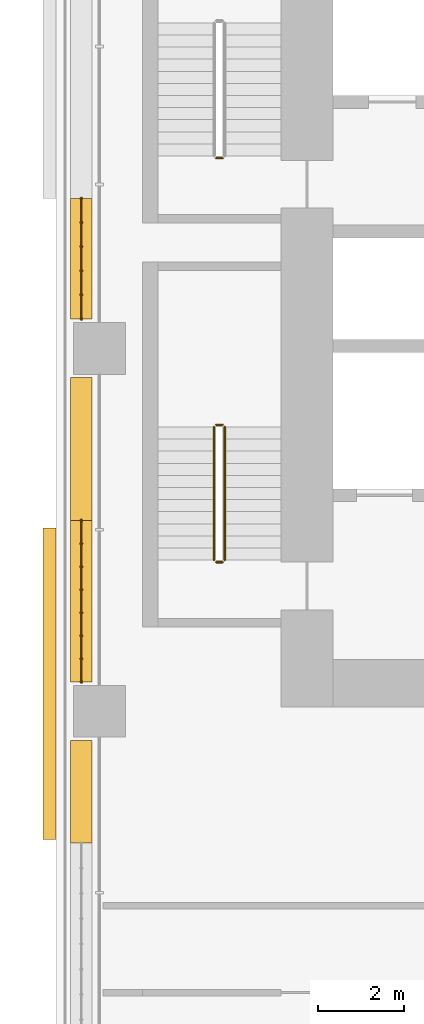
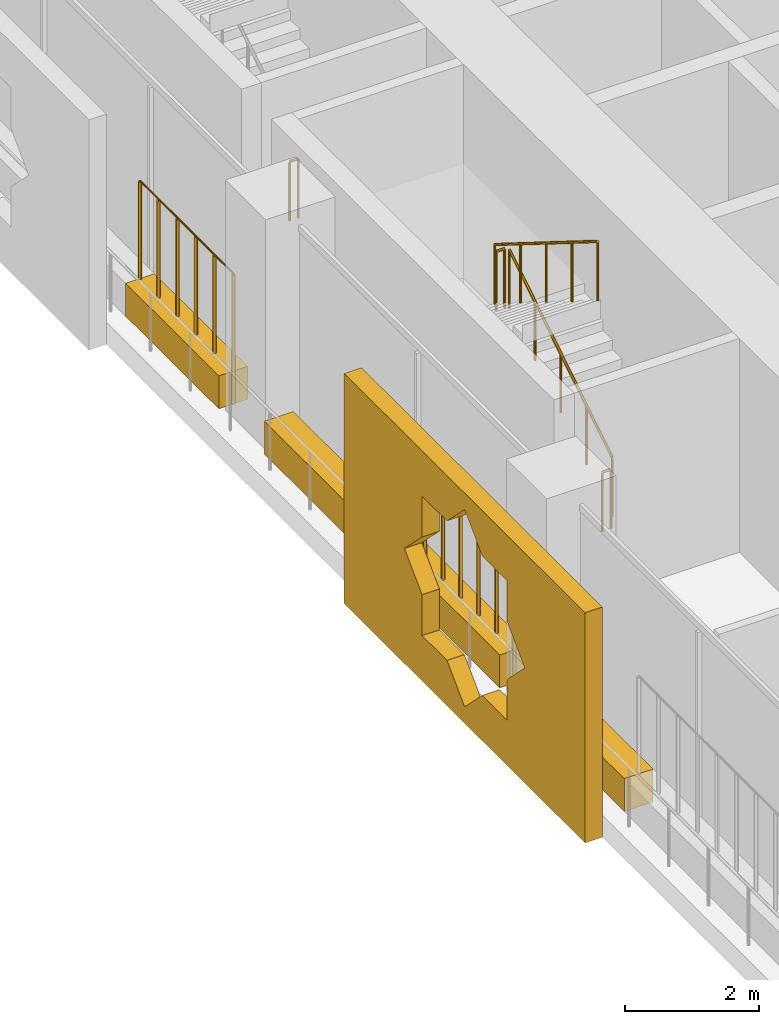
# One storey, part 23 of 28: 7 railings, 5 coverings.
"""IFC4 building model written with IfcOpenShell, lengths in metres."""

from ifc_helpers import new_model, si_unit, direction, frame, origin, origin_2d, place, context, subcontext, project, spatial, polyline, rectangle, circle, outline, extrude, material, material_profile, profile_set, type_object, element, save


model = new_model("IFC4")

# Units and contexts
model_context = context("Model", 3, precision=1e-05, world=origin(), true_north=direction((0.0, 1.0)))
body_context = subcontext(model_context, "Body", "Model", "MODEL_VIEW")
ifc_project = project(units=[si_unit("LENGTHUNIT", "METRE"), si_unit("AREAUNIT", "SQUARE_METRE"), si_unit("VOLUMEUNIT", "CUBIC_METRE"), si_unit("PLANEANGLEUNIT", "RADIAN"), si_unit("MASSUNIT", "GRAM", prefix="KILO")], contexts=[model_context])

# Site, building, storey
site_placement = place(None, origin())
site = spatial("IfcSite", under=ifc_project, at=site_placement, CompositionType="ELEMENT")
building_placement = place(site_placement, origin())
building = spatial("IfcBuilding", under=site, at=building_placement, Name="Kawkab Arch Medical Tower", CompositionType="ELEMENT")
storey_placement = place(building_placement, frame((0.0, 0.0, 56.0)))
storey = spatial("IfcBuildingStorey", under=building, at=storey_placement, Name="L12", CompositionType="ELEMENT", Elevation=56.0)

# Coverings
ifc_material_1 = material(Name="Bronze anodised aluminium mashrabiya panel, eight-point star pattern", Category="aluminium")
ifc_material_profile_1 = material_profile(ifc_material_1, outline(polyline([(-3.60009765625, -2.10009765625), (3.60009765625, -2.10009765625), (3.60009765625, 2.10009765625), (-3.60009765625, 2.10009765625), (-3.60009765625, -2.10009765625)]), holes=[polyline([(1.800048828125, 0.0), (1.272705078125, 0.527099609375), (1.272705078125, 1.272705078125), (0.527099609375, 1.272705078125), (0.0, 1.800048828125), (-0.527099609375, 1.272705078125), (-1.272705078125, 1.272705078125), (-1.272705078125, 0.527099609375), (-1.800048828125, 0.0), (-1.272705078125, -0.527099609375), (-1.272705078125, -1.272705078125), (-0.527099609375, -1.272705078125), (0.0, -1.800048828125), (0.527099609375, -1.272705078125), (1.272705078125, -1.272705078125), (1.272705078125, -0.527099609375), (1.800048828125, 0.0)])]), Name="Mashrabiya panel 7200x4200")
ifc_profile_set_1 = profile_set([ifc_material_profile_1], Name="Bronze anodised aluminium mashrabiya panel, eight-point star pattern")
covering_type_1 = type_object("IfcCoveringType", Name="Mashrabiya panel 7200 x 4200", PredefinedType="USERDEFINED", material=ifc_profile_set_1)
covering_1_placement = place(storey_placement, frame((-1.0, -24.561767578125, 1.699951171875), z_axis=(-1.0, 0.0, 0.0), x_axis=(0.0, -1.0, 0.0)))
element("IfcCovering", 1, at=covering_1_placement, inside=storey, type_object=covering_type_1, Name="Mashrabiya panel L12.LOG-01-01.4", ObjectType="SCREEN", PredefinedType="USERDEFINED", context=body_context, shape_type="SweptSolid", body=[
    extrude(outline(polyline([(-3.60009765625, -2.10009765625), (3.60009765625, -2.10009765625), (3.60009765625, 2.10009765625), (-3.60009765625, 2.10009765625), (-3.60009765625, -2.10009765625)]), holes=[polyline([(1.800048828125, 0.0), (1.272705078125, 0.527099609375), (1.272705078125, 1.272705078125), (0.527099609375, 1.272705078125), (0.0, 1.800048828125), (-0.527099609375, 1.272705078125), (-1.272705078125, 1.272705078125), (-1.272705078125, 0.527099609375), (-1.800048828125, 0.0), (-1.272705078125, -0.527099609375), (-1.272705078125, -1.272705078125), (-0.527099609375, -1.272705078125), (0.0, -1.800048828125), (0.527099609375, -1.272705078125), (1.272705078125, -1.272705078125), (1.272705078125, -0.527099609375), (1.800048828125, 0.0)])]), origin(), (0.0, 0.0, 1.0), 0.300048828125),
])
ifc_material_2 = material(Name="Planting soil in a precast trough", Category="concrete")
ifc_material_profile_2 = material_profile(ifc_material_2, rectangle(XDim=0.5, YDim=0.60009765625, at=origin_2d()), Name="Trough 500x600")
ifc_profile_set_2 = profile_set([ifc_material_profile_2], Name="Planting soil in a precast trough")
covering_type_2 = type_object("IfcCoveringType", Name="Planter trough 500 x 600", PredefinedType="USERDEFINED", material=ifc_profile_set_2)
covering_2_placement = place(storey_placement, frame((-0.419921875, -28.243896484375, 0.300048828125), z_axis=(0.0, 1.0, 0.0), x_axis=(-1.0, 0.0, 0.0)))
element("IfcCovering", 2, at=covering_2_placement, inside=storey, type_object=covering_type_2, Name="Planter L12.LOG-01-01.12", ObjectType="PLANTER", PredefinedType="USERDEFINED", context=body_context, shape_type="SweptSolid", body=[
    extrude(rectangle(XDim=0.5, YDim=0.60009765625, at=origin_2d()), origin(), (0.0, 0.0, 1.0), 2.364013671875),
])
covering_3_placement = place(storey_placement, frame((-0.419921875, -24.52001953125, 0.300048828125), z_axis=(0.0, 1.0, 0.0), x_axis=(-1.0, 0.0, 0.0)))
element("IfcCovering", 3, at=covering_3_placement, inside=storey, type_object=covering_type_2, Name="Planter L12.LOG-01-01.13", ObjectType="PLANTER", PredefinedType="USERDEFINED", context=body_context, shape_type="SweptSolid", body=[
    extrude(rectangle(XDim=0.5, YDim=0.60009765625, at=origin_2d()), origin(), (0.0, 0.0, 1.0), 3.73291015625),
])
covering_4_placement = place(storey_placement, frame((-0.419921875, -20.787109375, 0.300048828125), z_axis=(0.0, 1.0, 0.0), x_axis=(-1.0, 0.0, 0.0)))
element("IfcCovering", 4, at=covering_4_placement, inside=storey, type_object=covering_type_2, Name="Planter L12.LOG-01-01.14", ObjectType="PLANTER", PredefinedType="USERDEFINED", context=body_context, shape_type="SweptSolid", body=[
    extrude(rectangle(XDim=0.5, YDim=0.60009765625, at=origin_2d()), origin(), (0.0, 0.0, 1.0), 3.30712890625),
])
covering_5_placement = place(storey_placement, frame((-0.419921875, -16.1201171875, 0.300048828125), z_axis=(0.0, 1.0, 0.0), x_axis=(-1.0, 0.0, 0.0)))
element("IfcCovering", 5, at=covering_5_placement, inside=storey, type_object=covering_type_2, Name="Planter L12.LOG-01-01.15", ObjectType="PLANTER", PredefinedType="USERDEFINED", context=body_context, shape_type="SweptSolid", body=[
    extrude(rectangle(XDim=0.5, YDim=0.60009765625, at=origin_2d()), origin(), (0.0, 0.0, 1.0), 2.7890625),
])

# Railings
ifc_material_3 = material(Name="Bronze anodised aluminium trellis for climbing plants", Category="aluminium")
railing_type_1 = type_object("IfcRailingType", Name="Planting trellis 2400", PredefinedType="USERDEFINED", material=ifc_material_3)
railing_1_placement = place(storey_placement, frame((-0.419921875, -24.52001953125, 0.0)))
element("IfcRailing", 6, at=railing_1_placement, inside=storey, type_object=railing_type_1, Name="Planting trellis L12.LOG-01-01.13", ObjectType="TRELLIS", PredefinedType="USERDEFINED", context=body_context, shape_type="SweptSolid", body=[
    extrude(circle(Radius=0.01513671875, at=origin_2d()), frame((0.0, 0.0, 2.384765625), z_axis=(0.0, 1.0, 0.0), x_axis=(-1.0, 0.0, 0.0)), (0.0, 0.0, 1.0), 3.73291015625),
    extrude(circle(Radius=0.030029296875, at=origin_2d()), origin(), (0.0, 0.0, 1.0), 2.369873046875),
    extrude(circle(Radius=0.030029296875, at=origin_2d()), frame((0.0, 0.533203125, 0.0)), (0.0, 0.0, 1.0), 2.369873046875),
    extrude(circle(Radius=0.030029296875, at=origin_2d()), frame((0.0, 1.066650390625, 0.0)), (0.0, 0.0, 1.0), 2.369873046875),
    extrude(circle(Radius=0.030029296875, at=origin_2d()), frame((0.0, 1.599853515625, 0.0)), (0.0, 0.0, 1.0), 2.369873046875),
    extrude(circle(Radius=0.030029296875, at=origin_2d()), frame((0.0, 2.133056640625, 0.0)), (0.0, 0.0, 1.0), 2.369873046875),
    extrude(circle(Radius=0.030029296875, at=origin_2d()), frame((0.0, 2.666259765625, 0.0)), (0.0, 0.0, 1.0), 2.369873046875),
    extrude(circle(Radius=0.030029296875, at=origin_2d()), frame((0.0, 3.19970703125, 0.0)), (0.0, 0.0, 1.0), 2.369873046875),
    extrude(circle(Radius=0.030029296875, at=origin_2d()), frame((0.0, 3.73291015625, 0.0)), (0.0, 0.0, 1.0), 2.369873046875),
])
railing_2_placement = place(storey_placement, frame((-0.419921875, -16.1201171875, 0.0)))
element("IfcRailing", 7, at=railing_2_placement, inside=storey, type_object=railing_type_1, Name="Planting trellis L12.LOG-01-01.15", ObjectType="TRELLIS", PredefinedType="USERDEFINED", context=body_context, shape_type="SweptSolid", body=[
    extrude(circle(Radius=0.01513671875, at=origin_2d()), frame((0.0, 0.0, 2.384765625), z_axis=(0.0, 1.0, 0.0), x_axis=(-1.0, 0.0, 0.0)), (0.0, 0.0, 1.0), 2.7890625),
    extrude(circle(Radius=0.030029296875, at=origin_2d()), origin(), (0.0, 0.0, 1.0), 2.369873046875),
    extrude(circle(Radius=0.030029296875, at=origin_2d()), frame((0.0, 0.557861328125, 0.0)), (0.0, 0.0, 1.0), 2.369873046875),
    extrude(circle(Radius=0.030029296875, at=origin_2d()), frame((0.0, 1.11572265625, 0.0)), (0.0, 0.0, 1.0), 2.369873046875),
    extrude(circle(Radius=0.030029296875, at=origin_2d()), frame((0.0, 1.67333984375, 0.0)), (0.0, 0.0, 1.0), 2.369873046875),
    extrude(circle(Radius=0.030029296875, at=origin_2d()), frame((0.0, 2.231201171875, 0.0)), (0.0, 0.0, 1.0), 2.369873046875),
    extrude(circle(Radius=0.030029296875, at=origin_2d()), frame((0.0, 2.7890625, 0.0)), (0.0, 0.0, 1.0), 2.369873046875),
])
ifc_material_4 = material(Name="Stainless steel", Category="steel")
railing_type_2 = type_object("IfcRailingType", Name="Stair guard 1100", PredefinedType="GUARDRAIL", material=ifc_material_4)
railing_3_placement = place(storey_placement, frame((2.85009765625, -12.39990234375, 0.0)))
element("IfcRailing", 8, at=railing_3_placement, inside=storey, type_object=railing_type_2, Name="L12 ST1 stair guard 4", PredefinedType="GUARDRAIL", context=body_context, shape_type="SweptSolid", body=[
    extrude(circle(Radius=0.02392578125, at=origin_2d()), frame((0.0, 0.0, 1.076171875), z_axis=(-1.0, 0.0, 0.0), x_axis=(0.0, -1.0, 0.0)), (0.0, 0.0, 1.0), 0.150146484375),
    extrude(circle(Radius=0.02099609375, at=origin_2d()), origin(), (0.0, 0.0, 1.0), 1.052001953125),
    extrude(circle(Radius=0.02099609375, at=origin_2d()), frame((-0.150146484375, 0.0, 0.0)), (0.0, 0.0, 1.0), 1.052001953125),
])
railing_4_placement = place(storey_placement, frame((2.89990234375, -21.699951171875, 0.175048828125)))
element("IfcRailing", 9, at=railing_4_placement, inside=storey, type_object=railing_type_2, Name="L12 ST2 stair guard 1", PredefinedType="GUARDRAIL", context=body_context, shape_type="SweptSolid", body=[
    extrude(circle(Radius=0.02392578125, at=origin_2d()), frame((0.0, 0.0, 1.076171875), z_axis=(0.0, 0.847979421464, 0.530029150871), x_axis=(-1.0, 0.0, 0.0)), (0.0, 0.0, 1.0), 3.632080078125),
    extrude(circle(Radius=0.02099609375, at=origin_2d()), origin(), (0.0, 0.0, 1.0), 1.052001953125),
    extrude(circle(Radius=0.02099609375, at=origin_2d()), frame((0.0, 0.77001953125, 0.481201171875)), (0.0, 0.0, 1.0), 1.052001953125),
    extrude(circle(Radius=0.02099609375, at=origin_2d()), frame((0.0, 1.5400390625, 0.96240234375)), (0.0, 0.0, 1.0), 1.052001953125),
    extrude(circle(Radius=0.02099609375, at=origin_2d()), frame((0.0, 2.309814453125, 1.44384765625)), (0.0, 0.0, 1.0), 1.052001953125),
    extrude(circle(Radius=0.02099609375, at=origin_2d()), frame((0.0, 3.079833984375, 1.925048828125)), (0.0, 0.0, 1.0), 1.052001953125),
])
railing_5_placement = place(storey_placement, frame((2.85009765625, -18.570068359375, 2.10009765625)))
element("IfcRailing", 10, at=railing_5_placement, inside=storey, type_object=railing_type_2, Name="L12 ST2 stair guard 2", PredefinedType="GUARDRAIL", context=body_context, shape_type="SweptSolid", body=[
    extrude(circle(Radius=0.02392578125, at=origin_2d()), frame((0.0, 0.0, 1.076171875), z_axis=(-1.0, 0.0, 0.0), x_axis=(0.0, -1.0, 0.0)), (0.0, 0.0, 1.0), 0.150146484375),
    extrude(circle(Radius=0.02099609375, at=origin_2d()), origin(), (0.0, 0.0, 1.0), 1.052001953125),
    extrude(circle(Radius=0.02099609375, at=origin_2d()), frame((-0.150146484375, 0.0, 0.0)), (0.0, 0.0, 1.0), 1.052001953125),
])
railing_6_placement = place(storey_placement, frame((2.64990234375, -18.6201171875, 2.27490234375)))
element("IfcRailing", 11, at=railing_6_placement, inside=storey, type_object=railing_type_2, Name="L12 ST2 stair guard 3", PredefinedType="GUARDRAIL", context=body_context, shape_type="SweptSolid", body=[
    extrude(circle(Radius=0.02392578125, at=origin_2d()), frame((0.0, 0.0, 1.076171875), z_axis=(0.0, -0.847979421464, 0.530029150871), x_axis=(1.0, 0.0, 0.0)), (0.0, 0.0, 1.0), 3.632080078125),
    extrude(circle(Radius=0.02099609375, at=origin_2d()), origin(), (0.0, 0.0, 1.0), 1.052001953125),
    extrude(circle(Radius=0.02099609375, at=origin_2d()), frame((0.0, -0.77001953125, 0.481201171875)), (0.0, 0.0, 1.0), 1.052001953125),
    extrude(circle(Radius=0.02099609375, at=origin_2d()), frame((0.0, -1.5400390625, 0.96240234375)), (0.0, 0.0, 1.0), 1.052001953125),
    extrude(circle(Radius=0.02099609375, at=origin_2d()), frame((0.0, -2.309814453125, 1.44384765625)), (0.0, 0.0, 1.0), 1.052001953125),
    extrude(circle(Radius=0.02099609375, at=origin_2d()), frame((0.0, -3.079833984375, 1.925048828125)), (0.0, 0.0, 1.0), 1.052001953125),
])
railing_7_placement = place(storey_placement, frame((2.85009765625, -21.75, 0.0)))
element("IfcRailing", 12, at=railing_7_placement, inside=storey, type_object=railing_type_2, Name="L12 ST2 stair guard 4", PredefinedType="GUARDRAIL", context=body_context, shape_type="SweptSolid", body=[
    extrude(circle(Radius=0.02392578125, at=origin_2d()), frame((0.0, 0.0, 1.076171875), z_axis=(-1.0, 0.0, 0.0), x_axis=(0.0, -1.0, 0.0)), (0.0, 0.0, 1.0), 0.150146484375),
    extrude(circle(Radius=0.02099609375, at=origin_2d()), origin(), (0.0, 0.0, 1.0), 1.052001953125),
    extrude(circle(Radius=0.02099609375, at=origin_2d()), frame((-0.150146484375, 0.0, 0.0)), (0.0, 0.0, 1.0), 1.052001953125),
])

save(model, "model.ifc")
